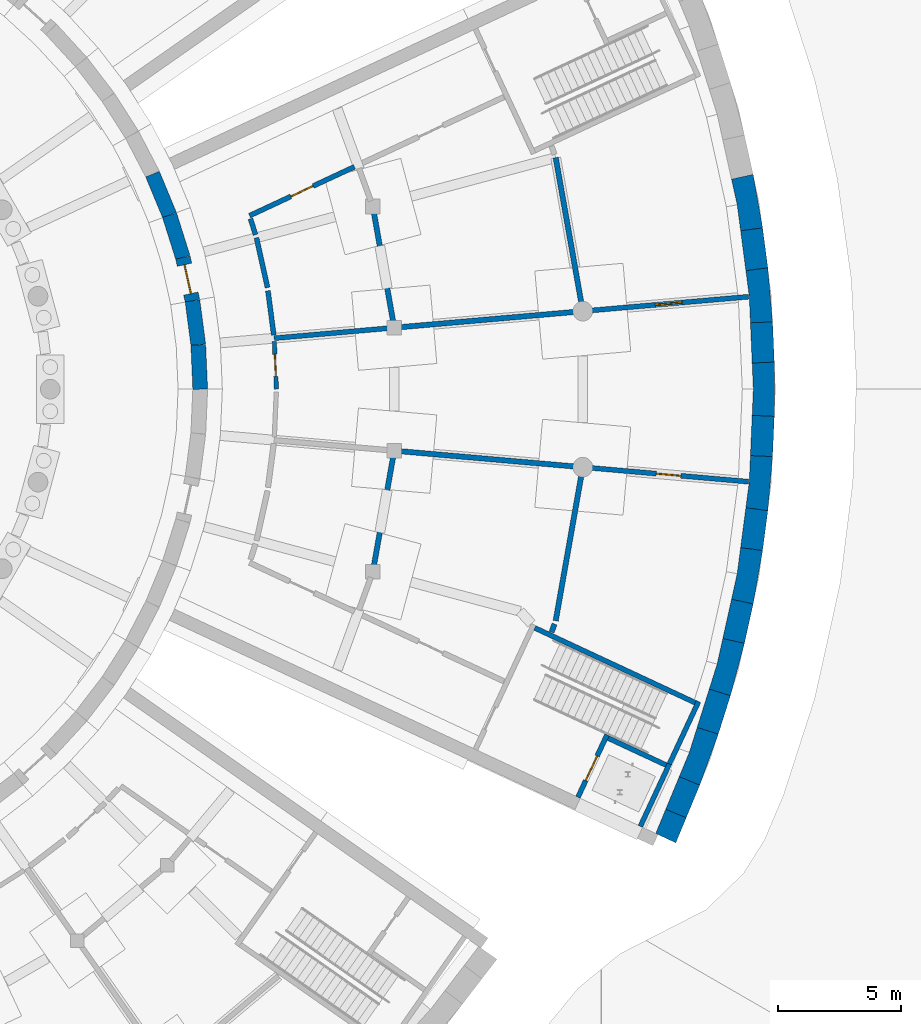
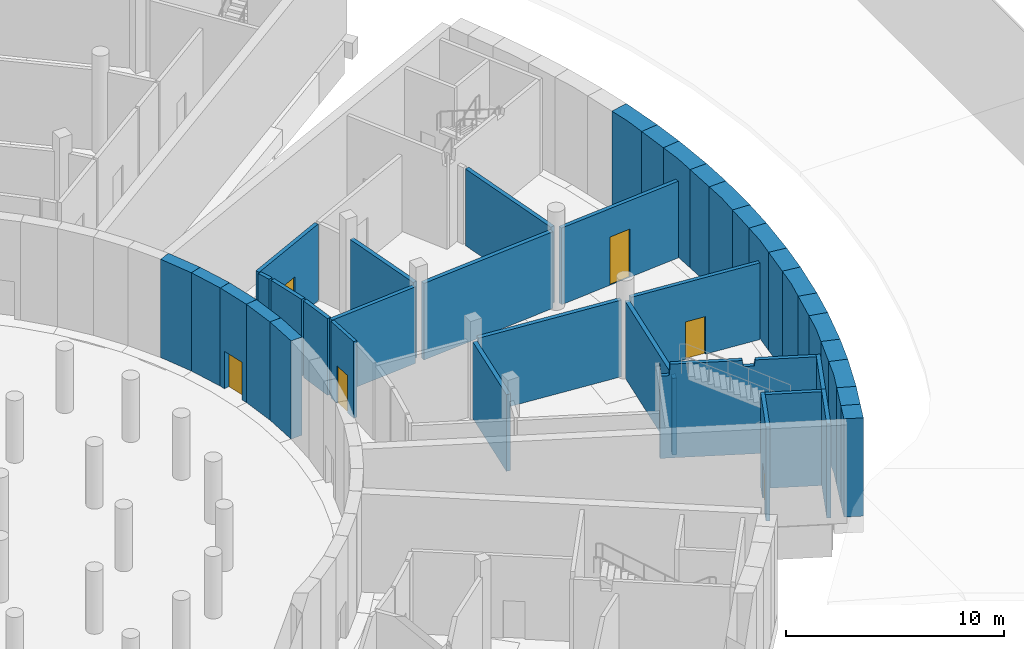
# One storey, part 42 of 65: 40 walls, 6 doors, 6 openings.
"""IFC4 building model written with IfcOpenShell, lengths in metres."""

import ifcopenshell
import ifcopenshell.guid

model = None  # the IFC model being written
_history = None  # IfcOwnerHistory: only IFC2X3 demands one
_inside = {}  # id of a spatial element -> (the spatial element, [elements in it])
_under = {}  # id of a project, library or spatial element -> (it, [spatial elements below it])
_declared = {}  # id of a project -> (the project, [libraries it declares])
_typed = {}  # id of a type object -> (the type object, [elements of that type])
_made_of = {}  # id of a material, layer set ... -> (it, [elements and type objects made of it])


def new_model(schema):
    """Start an empty IFC model of exactly this schema.

    Asked for "IFC4X3", IfcOpenShell would pick the latest addendum, in which some entities
    have other attributes; the version numbers below select the first issue.
    IFC2X3 requires an IfcOwnerHistory on every rooted entity: one is made here for all.
    """
    global model, _history
    if schema == "IFC4X3":
        model = ifcopenshell.file(schema_version=(4, 3, 0, 0))
    else:
        model = ifcopenshell.file(schema=schema)
    _inside.clear()
    _under.clear()
    _declared.clear()
    _typed.clear()
    _made_of.clear()
    _history = None
    if model.schema == "IFC2X3":
        org = make("IfcOrganization", Name="unknown")
        user = make(
            "IfcPersonAndOrganization",
            ThePerson=make("IfcPerson", FamilyName="unknown"),
            TheOrganization=org,
        )
        app = make(
            "IfcApplication",
            ApplicationDeveloper=org,
            Version="unknown",
            ApplicationFullName="unknown",
            ApplicationIdentifier="unknown",
        )
        _history = make(
            "IfcOwnerHistory",
            OwningUser=user,
            OwningApplication=app,
            ChangeAction="ADDED",
            CreationDate=0,
        )
    return model


def make(cls, **values):
    """One entity of the class cls with the attributes given. An attribute that is None is left unset."""
    return model.create_entity(
        cls, **{name: value for name, value in values.items() if value is not None}
    )


def rooted(cls, **values):
    """An entity with a GlobalId (a new one), such as an element, a storey or a relation."""
    return make(cls, GlobalId=ifcopenshell.guid.new(), OwnerHistory=_history, **values)


def si_unit(unit_type, name, prefix=None):
    """IfcSIUnit, for example si_unit("LENGTHUNIT", "METRE", prefix="MILLI")."""
    return make("IfcSIUnit", UnitType=unit_type, Prefix=prefix, Name=name)


def assignment(units):
    """IfcUnitAssignment: the units of a project."""
    return None if units is None else make("IfcUnitAssignment", Units=units)


def point(xyz):
    """IfcCartesianPoint."""
    return None if xyz is None else make("IfcCartesianPoint", Coordinates=xyz)


def direction(xyz):
    """IfcDirection."""
    return None if xyz is None else make("IfcDirection", DirectionRatios=xyz)


def frame(location, z_axis=None, x_axis=None):
    """IfcAxis2Placement3D, a coordinate frame: its origin and axes. An axis left out is left unset."""
    return make(
        "IfcAxis2Placement3D",
        Location=point(location),
        Axis=direction(z_axis),
        RefDirection=direction(x_axis),
    )


def frame_2d(location, x_axis=None):
    """IfcAxis2Placement2D, a coordinate frame in the plane: its origin and x axis."""
    return make(
        "IfcAxis2Placement2D", Location=point(location), RefDirection=direction(x_axis)
    )


def origin():
    """The frame at (0, 0, 0) with its axes left unset."""
    return frame((0.0, 0.0, 0.0))


def place(relative_to, where):
    """IfcLocalPlacement: puts the frame where relative to a parent placement (None: the world)."""
    return make(
        "IfcLocalPlacement", PlacementRelTo=relative_to, RelativePlacement=where
    )


def context(
    kind, dimensions, precision=None, world=None, true_north=None, identifier=None
):
    """IfcGeometricRepresentationContext, for example the 3D "Model" context."""
    return make(
        "IfcGeometricRepresentationContext",
        ContextIdentifier=identifier,
        ContextType=kind,
        CoordinateSpaceDimension=dimensions,
        Precision=precision,
        WorldCoordinateSystem=world,
        TrueNorth=true_north,
    )


def subcontext(parent, identifier, kind, view, scale=None):
    """IfcGeometricRepresentationSubContext, for example "Body" below "Model"."""
    return make(
        "IfcGeometricRepresentationSubContext",
        ContextIdentifier=identifier,
        ContextType=kind,
        ParentContext=parent,
        TargetScale=scale,
        TargetView=view,
    )


def project(units=None, contexts=None):
    """IfcProject with its units and contexts."""
    return rooted(
        "IfcProject",
        Name="project",
        RepresentationContexts=contexts,
        UnitsInContext=assignment(units),
    )


def spatial(cls, under=None, at=None, **own):
    """A site, building, storey or space (cls), placed at a placement, below another one or the project."""
    s = rooted(cls, ObjectPlacement=at, **own)
    if under is not None:
        _under.setdefault(under.id(), (under, []))[1].append(s)
    return s


def polyline(points):
    """IfcPolyline through the points."""
    return make("IfcPolyline", Points=[point(p) for p in points])


def profile(cls, at=None, kind="AREA", **sizes):
    """A parametric profile (cls). Its sizes go by their IFC names, for example OverallWidth=200.0."""
    return make(cls, ProfileType=kind, Position=at, **sizes)


def rectangle(**sizes):
    """IfcRectangleProfileDef."""
    return profile("IfcRectangleProfileDef", **sizes)


def outline(outer, holes=None, kind="AREA"):
    """IfcArbitraryClosedProfileDef: a profile drawn as a closed curve; with holes, ...WithVoids."""
    if holes is None:
        return make("IfcArbitraryClosedProfileDef", ProfileType=kind, OuterCurve=outer)
    return make(
        "IfcArbitraryProfileDefWithVoids",
        ProfileType=kind,
        OuterCurve=outer,
        InnerCurves=holes,
    )


def extrude(swept, where, along, depth):
    """IfcExtrudedAreaSolid: the profile swept, set in the frame where, extruded along a direction by depth."""
    return make(
        "IfcExtrudedAreaSolid",
        SweptArea=swept,
        Position=where,
        ExtrudedDirection=direction(along),
        Depth=depth,
    )


def shape(context_of_items, identifier, shape_type, items):
    """IfcShapeRepresentation: the items that make up one representation, for example the "Body"."""
    return make(
        "IfcShapeRepresentation",
        ContextOfItems=context_of_items,
        RepresentationIdentifier=identifier,
        RepresentationType=shape_type,
        Items=items,
    )


def material(Name=None, Category=None):
    """IfcMaterial."""
    return make("IfcMaterial", Name=Name, Category=Category)


def layer(
    of_material, thickness, ventilated=None, Name=None, Category=None, Priority=None
):
    """IfcMaterialLayer: one layer of a wall or slab, of a material (None: an air gap)."""
    return make(
        "IfcMaterialLayer",
        Material=of_material,
        LayerThickness=thickness,
        IsVentilated=ventilated,
        Name=Name,
        Category=Category,
        Priority=Priority,
    )


def layer_set(layers, Name=None):
    """IfcMaterialLayerSet."""
    return make("IfcMaterialLayerSet", MaterialLayers=layers, LayerSetName=Name)


def made_of(thing, what):
    """Note that an element or type object is made of a material, layer set ...; save() writes the relation."""
    if what is not None:
        _made_of.setdefault(what.id(), (what, []))[1].append(thing)
    return thing


def type_object(cls, material=None, **own):
    """A type object (cls), such as IfcWallType, which elements share."""
    return made_of(rooted(cls, **own), material)


def element(
    cls,
    number,
    at=None,
    inside=None,
    cuts=None,
    type_object=None,
    material=None,
    context=None,
    identifier="Body",
    shape_type=None,
    held_by="IfcProductDefinitionShape",
    body=None,
    shapes=None,
    **own,
):
    """One element of the class cls, such as IfcWall. Its Tag is "e" and its number.

    at: its placement. inside: the storey or other place that contains it. cuts: it is an
    opening in that element (IfcRelVoidsElement). A single representation is given by context,
    identifier, shape_type and body (its items); several are given by shapes. held_by: the class
    of the entity that holds the representations. save() writes the other relations.
    """
    e = rooted(cls, Tag="e%d" % number, ObjectPlacement=at, **own)
    if body is not None:
        shapes = [shape(context, identifier, shape_type, body)]
    if shapes is not None:
        e.Representation = make(held_by, Representations=shapes)
    if inside is not None:
        _inside.setdefault(inside.id(), (inside, []))[1].append(e)
    if cuts is not None:
        rooted(
            "IfcRelVoidsElement", RelatingBuildingElement=cuts, RelatedOpeningElement=e
        )
    if type_object is not None:
        _typed.setdefault(type_object.id(), (type_object, []))[1].append(e)
    return made_of(e, material)


def fill(opening, filler):
    """IfcRelFillsElement: the door or window that sits in an opening."""
    return rooted(
        "IfcRelFillsElement",
        RelatingOpeningElement=opening,
        RelatedBuildingElement=filler,
    )


def aggregate(whole, parts):
    """IfcRelAggregates: a whole, such as a stair, and the parts it consists of."""
    return rooted("IfcRelAggregates", RelatingObject=whole, RelatedObjects=parts)


def save(model, path):
    """Write the relations noted so far, then the file.

    IfcRelAggregates (storeys below a building ...), IfcRelContainedInSpatialStructure (elements
    in a storey), IfcRelDefinesByType, IfcRelAssociatesMaterial and IfcRelDeclares: one each for
    every whole, place, type object, material and project.
    """
    for whole, parts in _under.values():
        aggregate(whole, parts)
    for where, things in _inside.values():
        rooted(
            "IfcRelContainedInSpatialStructure",
            RelatedElements=things,
            RelatingStructure=where,
        )
    for kind, things in _typed.values():
        rooted("IfcRelDefinesByType", RelatedObjects=things, RelatingType=kind)
    for what, things in _made_of.values():
        rooted("IfcRelAssociatesMaterial", RelatedObjects=things, RelatingMaterial=what)
    for by, libraries in _declared.values():
        rooted("IfcRelDeclares", RelatingContext=by, RelatedDefinitions=libraries)
    model.write(path)


model = new_model("IFC4")

# Units and contexts
model_context = context("Model", 3, precision=1e-05, world=origin(), true_north=direction((0.0, 1.0)))
body_context = subcontext(model_context, "Body", "Model", "MODEL_VIEW")
ifc_project = project(units=[si_unit("LENGTHUNIT", "METRE"), si_unit("AREAUNIT", "SQUARE_METRE"), si_unit("VOLUMEUNIT", "CUBIC_METRE"), si_unit("PLANEANGLEUNIT", "RADIAN"), si_unit("MASSUNIT", "GRAM", prefix="KILO")], contexts=[model_context])

# Site, building, storey
site_placement = place(None, origin())
site = spatial("IfcSite", under=ifc_project, at=site_placement, CompositionType="ELEMENT")
building_placement = place(site_placement, origin())
building = spatial("IfcBuilding", under=site, at=building_placement, Name="Volute Hill Aquarium", CompositionType="ELEMENT")
storey_placement = place(building_placement, frame((0.0, 0.0, -5.5)))
storey = spatial("IfcBuildingStorey", under=building, at=storey_placement, Name="L00", CompositionType="ELEMENT", Elevation=-5.5)

# Walls
ifc_material_1 = material(Name="Concrete C30/37", Category="concrete")
ifc_layer_1 = layer(ifc_material_1, 0.199951171875)
ifc_layer_set_1 = layer_set([ifc_layer_1], Name="Core wall 200 REI 60")
wall_type_1 = type_object("IfcWallType", Name="Core wall 200 REI 60", PredefinedType="SHEAR", material=ifc_layer_set_1)
wall_1_placement = place(storey_placement, frame((34.31103515625, -9.710205078125, 0.0), z_axis=(0.0, 0.0, 1.0), x_axis=(0.906300917592, -0.422632992999, 0.0)))
element("IfcWall", 1, at=wall_1_placement, inside=storey, type_object=wall_type_1, Name="wc/S4-A/L00/side", PredefinedType="SHEAR", context=body_context, shape_type="SweptSolid", body=[
    extrude(outline(polyline([(0.0, 0.0), (7.199951171875, 0.0), (7.199951171875, 5.25), (4.392578125, 5.25), (4.342529296875, 4.909912109375), (3.842529296875, 4.909912109375), (3.79248046875, 5.25), (0.477294921875, 5.25), (0.42724609375, 4.610107421875), (0.050048828125, 4.610107421875), (0.0, 5.25), (0.0, 0.0)])), frame((0.0, 0.10009765625, 0.0), z_axis=(0.0, -1.0, 0.0), x_axis=(1.0, 0.0, 0.0)), (0.0, 0.0, 1.0), 0.199951171875),
])
wall_2_placement = place(storey_placement, frame((39.785888671875, -15.242431640625, 0.0), z_axis=(0.0, 0.0, 1.0), x_axis=(0.422599061068, 0.90631674021, 0.0)))
element("IfcWall", 2, at=wall_2_placement, inside=storey, type_object=wall_type_1, Name="wc/S4-A/L00/out-b", PredefinedType="SHEAR", context=body_context, shape_type="SweptSolid", body=[
    extrude(rectangle(XDim=2.80029296875, YDim=0.199951171875, at=frame_2d((1.400146484375, 0.0))), origin(), (0.0, 0.0, 1.0), 5.25),
])

# Wall, opening, door
ifc_material_2 = material(Name="Gypsum board on steel studs", Category="steel")
ifc_layer_2 = layer(ifc_material_2, 0.175048828125)
ifc_layer_set_2 = layer_set([ifc_layer_2], Name="Corridor partition 175 EI 60")
wall_type_2 = type_object("IfcWallType", Name="Corridor partition 175 EI 60", PredefinedType="PARTITIONING", material=ifc_layer_set_2)
wall_3_placement = place(storey_placement, frame((23.715087890625, 1.944580078125, 0.0), z_axis=(0.0, 0.0, 1.0), x_axis=(0.043649507007, -0.999046906075, 0.0)))
wall_3 = element("IfcWall", 3, at=wall_3_placement, inside=storey, type_object=wall_type_2, Name="pw/S4/L00/017", PredefinedType="PARTITIONING", context=body_context, shape_type="SweptSolid", body=[
    extrude(rectangle(XDim=1.946533203125, YDim=0.175048828125, at=frame_2d((0.97314453125, 0.0))), origin(), (0.0, 0.0, 1.0), 4.2900390625),
])
opening_1_placement = place(wall_3_placement, frame((0.523193359375, 0.0, 0.0)))
opening_1 = element("IfcOpeningElement", 4, at=opening_1_placement, cuts=wall_3, Name="Opening D4.00.01", PredefinedType="OPENING", context=body_context, shape_type="SweptSolid", body=[
    extrude(rectangle(XDim=0.89990234375, YDim=2.10009765625, at=frame_2d((0.449951171875, 1.050048828125))), frame((0.0, 0.097412109375, 0.0), z_axis=(0.0, -1.0, 0.0), x_axis=(1.0, 0.0, 0.0)), (0.0, 0.0, 1.0), 0.195068359375),
])
ifc_material_3 = material(Name="Timber, fire-rated", Category="wood")
door_type_1 = type_object("IfcDoorType", Name="Door 900 x 2100 wc single EI1 30", OperationType="SINGLE_SWING_LEFT", PredefinedType="DOOR", material=ifc_material_3)
door_1_placement = place(opening_1_placement, origin())
door_1 = element("IfcDoor", 5, at=door_1_placement, inside=storey, type_object=door_type_1, Name="d/S4/L00/01", OperationType="SINGLE_SWING_LEFT", OverallHeight=2.10009765625, OverallWidth=0.89990234375, PredefinedType="DOOR", context=body_context, shape_type="SweptSolid", body=[
    extrude(rectangle(XDim=0.89990234375, YDim=2.10009765625, at=frame_2d((0.449951171875, 1.050048828125))), frame((0.0, 0.02490234375, 0.0), z_axis=(0.0, -1.0, 0.0), x_axis=(1.0, 0.0, 0.0)), (0.0, 0.0, 1.0), 0.050048828125),
])
fill(opening_1, door_1)

# Walls
ifc_material_4 = material(Name="Concrete C35/45", Category="concrete")
ifc_layer_3 = layer(ifc_material_4, 0.60009765625)
ifc_layer_set_3 = layer_set([ifc_layer_3], Name="Drum wall C35/45 600")
wall_type_3 = type_object("IfcWallType", Name="Drum wall C35/45 600", PredefinedType="SHEAR", material=ifc_layer_set_3)
wall_4_placement = place(storey_placement, frame((20.699951171875, 0.0, 0.0), z_axis=(0.0, 0.0, 1.0), x_axis=(-0.043666024022, 0.999046184291, 0.0)))
element("IfcWall", 6, at=wall_4_placement, inside=storey, type_object=wall_type_3, Name="sw/DR/L00/0", PredefinedType="SHEAR", context=body_context, shape_type="SweptSolid", body=[
    extrude(rectangle(XDim=1.805908203125, YDim=0.60009765625, at=frame_2d((0.90283203125, 0.0))), origin(), (0.0, 0.0, 1.0), 5.5),
])
wall_5_placement = place(storey_placement, frame((20.62109375, 1.80419921875, 0.0), z_axis=(0.0, 0.0, 1.0), x_axis=(-0.130471999813, 0.991451994433, 0.0)))
element("IfcWall", 7, at=wall_5_placement, inside=storey, type_object=wall_type_3, Name="sw/DR/L00/1", PredefinedType="SHEAR", context=body_context, shape_type="SweptSolid", body=[
    extrude(rectangle(XDim=1.8056640625, YDim=0.60009765625, at=frame_2d((0.90283203125, 0.0))), origin(), (0.0, 0.0, 1.0), 5.5),
])

# Wall, opening, door
wall_6_placement = place(storey_placement, frame((20.385498046875, 3.594482421875, 0.0), z_axis=(0.0, 0.0, 1.0), x_axis=(-0.216429453554, 0.976298259567, 0.0)))
wall_6 = element("IfcWall", 8, at=wall_6_placement, inside=storey, type_object=wall_type_3, Name="sw/DR/L00/2", PredefinedType="SHEAR", context=body_context, shape_type="SweptSolid", body=[
    extrude(rectangle(XDim=1.805908203125, YDim=0.60009765625, at=frame_2d((0.90283203125, 0.0))), origin(), (0.0, 0.0, 1.0), 5.5),
])
opening_2_placement = place(wall_6_placement, frame((0.302978515625, 0.0, 0.0)))
opening_2 = element("IfcOpeningElement", 9, at=opening_2_placement, cuts=wall_6, Name="Opening D4.00.R2", PredefinedType="OPENING", context=body_context, shape_type="SweptSolid", body=[
    extrude(rectangle(XDim=1.199951171875, YDim=2.10009765625, at=frame_2d((0.60009765625, 1.050048828125))), frame((0.0, 0.31005859375, 0.0), z_axis=(0.0, -1.0, 0.0), x_axis=(1.0, 0.0, 0.0)), (0.0, 0.0, 1.0), 0.6201171875),
])
ifc_material_5 = material(Name="Timber, fire-rated", Category="wood")
door_type_2 = type_object("IfcDoorType", Name="Door 1200 x 2100 drum double EI1 30", OperationType="DOUBLE_DOOR_SINGLE_SWING", PredefinedType="DOOR", material=ifc_material_5)
door_2_placement = place(opening_2_placement, origin())
door_2 = element("IfcDoor", 10, at=door_2_placement, inside=storey, type_object=door_type_2, Name="d/S4/L00/dr2", OperationType="SINGLE_SWING_LEFT", OverallHeight=2.10009765625, OverallWidth=1.199951171875, PredefinedType="DOOR", context=body_context, shape_type="SweptSolid", body=[
    extrude(rectangle(XDim=1.199951171875, YDim=2.10009765625, at=frame_2d((0.60009765625, 1.050048828125))), frame((0.0, 0.02490234375, 0.0), z_axis=(0.0, -1.0, 0.0), x_axis=(1.0, 0.0, 0.0)), (0.0, 0.0, 1.0), 0.050048828125),
])
fill(opening_2, door_2)

# Walls
wall_7_placement = place(storey_placement, frame((19.99462890625, 5.357666015625, 0.0), z_axis=(0.0, 0.0, 1.0), x_axis=(-0.300691330354, 0.953721512733, 0.0)))
element("IfcWall", 11, at=wall_7_placement, inside=storey, type_object=wall_type_3, Name="sw/DR/L00/3", PredefinedType="SHEAR", context=body_context, shape_type="SweptSolid", body=[
    extrude(rectangle(XDim=1.8056640625, YDim=0.60009765625, at=frame_2d((0.90283203125, 0.0))), origin(), (0.0, 0.0, 1.0), 5.5),
])
wall_8_placement = place(storey_placement, frame((19.45166015625, 7.079833984375, 0.0), z_axis=(0.0, 0.0, 1.0), x_axis=(-0.382713954298, 0.923866889322, 0.0)))
element("IfcWall", 12, at=wall_8_placement, inside=storey, type_object=wall_type_3, Name="sw/DR/L00/4", PredefinedType="SHEAR", context=body_context, shape_type="SweptSolid", body=[
    extrude(rectangle(XDim=1.805908203125, YDim=0.60009765625, at=frame_2d((0.90283203125, 0.0))), origin(), (0.0, 0.0, 1.0), 5.5),
])

# Wall, opening, door
ifc_material_6 = material(Name="Masonry blockwork", Category="masonry")
ifc_layer_4 = layer(ifc_material_6, 0.199951171875)
ifc_layer_set_4 = layer_set([ifc_layer_4], Name="Fire partition 200 EI 60")
wall_type_4 = type_object("IfcWallType", Name="Fire partition 200 EI 60", PredefinedType="PARTITIONING", material=ifc_layer_set_4)
wall_9_placement = place(storey_placement, frame((36.50048828125, 3.193359375, 0.0), z_axis=(0.0, 0.0, 1.0), x_axis=(0.996195137737, 0.087150717435, 0.0)))
wall_9 = element("IfcWall", 13, at=wall_9_placement, inside=storey, type_object=wall_type_4, Name="pw/S4/L00/005", PredefinedType="PARTITIONING", context=body_context, shape_type="SweptSolid", body=[
    extrude(rectangle(XDim=6.530029296875, YDim=0.199951171875, at=frame_2d((3.26513671875, 0.0))), origin(), (0.0, 0.0, 1.0), 4.2900390625),
])
opening_3_placement = place(wall_9_placement, frame((2.715087890625, 0.0, 0.0)))
opening_3 = element("IfcOpeningElement", 14, at=opening_3_placement, cuts=wall_9, Name="Opening D4.00.07", PredefinedType="OPENING", context=body_context, shape_type="SweptSolid", body=[
    extrude(rectangle(XDim=1.10009765625, YDim=2.699951171875, at=frame_2d((0.550048828125, 1.35009765625))), frame((0.0, 0.10986328125, 0.0), z_axis=(0.0, -1.0, 0.0), x_axis=(1.0, 0.0, 0.0)), (0.0, 0.0, 1.0), 0.219970703125),
])
ifc_material_7 = material(Name="Steel, fire-rated", Category="steel")
door_type_3 = type_object("IfcDoorType", Name="Door 1100 x 2700 animal care EI1 30", OperationType="SINGLE_SWING_LEFT", PredefinedType="DOOR", material=ifc_material_7)
door_3_placement = place(opening_3_placement, origin())
door_3 = element("IfcDoor", 15, at=door_3_placement, inside=storey, type_object=door_type_3, Name="d/S4/L00/07", OperationType="SINGLE_SWING_LEFT", OverallHeight=2.699951171875, OverallWidth=1.10009765625, PredefinedType="DOOR", context=body_context, shape_type="SweptSolid", body=[
    extrude(rectangle(XDim=1.10009765625, YDim=2.699951171875, at=frame_2d((0.550048828125, 1.35009765625))), frame((0.0, 0.02490234375, 0.0), z_axis=(0.0, -1.0, 0.0), x_axis=(1.0, 0.0, 0.0)), (0.0, 0.0, 1.0), 0.050048828125),
])
fill(opening_3, door_3)

wall_10_placement = place(storey_placement, frame((43.005615234375, -3.762451171875, 0.0), z_axis=(0.0, 0.0, 1.0), x_axis=(-0.996195137737, 0.087150717435, 0.0)))
wall_10 = element("IfcWall", 16, at=wall_10_placement, inside=storey, type_object=wall_type_4, Name="pw/S4/L00/006", PredefinedType="PARTITIONING", context=body_context, shape_type="SweptSolid", body=[
    extrude(rectangle(XDim=6.530029296875, YDim=0.199951171875, at=frame_2d((3.26513671875, 0.0))), origin(), (0.0, 0.0, 1.0), 4.2900390625),
])
opening_4_placement = place(wall_10_placement, frame((2.764892578125, 0.0, 0.0)))
opening_4 = element("IfcOpeningElement", 17, at=opening_4_placement, cuts=wall_10, Name="Opening D4.00.06", PredefinedType="OPENING", context=body_context, shape_type="SweptSolid", body=[
    extrude(rectangle(XDim=1.0, YDim=2.10009765625, at=frame_2d((0.5, 1.050048828125))), frame((0.0, 0.10986328125, 0.0), z_axis=(0.0, -1.0, 0.0), x_axis=(1.0, 0.0, 0.0)), (0.0, 0.0, 1.0), 0.219970703125),
])
ifc_material_8 = material(Name="Timber, fire-rated", Category="wood")
door_type_4 = type_object("IfcDoorType", Name="Door 1000 x 2100 single EI1 30", OperationType="SINGLE_SWING_LEFT", PredefinedType="DOOR", material=ifc_material_8)
door_4_placement = place(opening_4_placement, origin())
door_4 = element("IfcDoor", 18, at=door_4_placement, inside=storey, type_object=door_type_4, Name="d/S4/L00/06", OperationType="SINGLE_SWING_RIGHT", OverallHeight=2.10009765625, OverallWidth=1.0, PredefinedType="DOOR", context=body_context, shape_type="SweptSolid", body=[
    extrude(rectangle(XDim=1.0, YDim=2.10009765625, at=frame_2d((0.5, 1.050048828125))), frame((0.0, 0.02490234375, 0.0), z_axis=(0.0, -1.0, 0.0), x_axis=(1.0, 0.0, 0.0)), (0.0, 0.0, 1.0), 0.050048828125),
])
fill(opening_4, door_4)

wall_11_placement = place(storey_placement, frame((26.9736328125, 9.04736328125, 0.0), z_axis=(0.0, 0.0, 1.0), x_axis=(-0.906308936169, -0.422615797409, 0.0)))
wall_11 = element("IfcWall", 19, at=wall_11_placement, inside=storey, type_object=wall_type_4, Name="pw/S4/L00/009", PredefinedType="PARTITIONING", context=body_context, shape_type="SweptSolid", body=[
    extrude(rectangle(XDim=4.708740234375, YDim=0.199951171875, at=frame_2d((2.3544921875, 0.0))), origin(), (0.0, 0.0, 1.0), 4.2900390625),
])
opening_5_placement = place(wall_11_placement, frame((1.8544921875, 0.0, 0.0)))
opening_5 = element("IfcOpeningElement", 20, at=opening_5_placement, cuts=wall_11, Name="Opening D4.00.04", PredefinedType="OPENING", context=body_context, shape_type="SweptSolid", body=[
    extrude(rectangle(XDim=1.0, YDim=2.39990234375, at=frame_2d((0.5, 1.199951171875))), frame((0.0, 0.10986328125, 0.0), z_axis=(0.0, -1.0, 0.0), x_axis=(1.0, 0.0, 0.0)), (0.0, 0.0, 1.0), 0.219970703125),
])
ifc_material_9 = material(Name="Steel, fire-rated", Category="steel")
door_type_5 = type_object("IfcDoorType", Name="Door 1000 x 2400 laboratory EI1 30", OperationType="SINGLE_SWING_LEFT", PredefinedType="DOOR", material=ifc_material_9)
door_5_placement = place(opening_5_placement, origin())
door_5 = element("IfcDoor", 21, at=door_5_placement, inside=storey, type_object=door_type_5, Name="d/S4/L00/04", OperationType="SINGLE_SWING_RIGHT", OverallHeight=2.39990234375, OverallWidth=1.0, PredefinedType="DOOR", context=body_context, shape_type="SweptSolid", body=[
    extrude(rectangle(XDim=1.0, YDim=2.39990234375, at=frame_2d((0.5, 1.199951171875))), frame((0.0, 0.02490234375, 0.0), z_axis=(0.0, -1.0, 0.0), x_axis=(1.0, 0.0, 0.0)), (0.0, 0.0, 1.0), 0.050048828125),
])
fill(opening_5, door_5)

# Walls
wall_12_placement = place(storey_placement, frame((28.351806640625, 2.48046875, 0.0), z_axis=(0.0, 0.0, 1.0), x_axis=(-0.996192864458, -0.087176698736, 0.0)))
element("IfcWall", 22, at=wall_12_placement, inside=storey, type_object=wall_type_4, Name="pw/S4/L00/012", PredefinedType="PARTITIONING", context=body_context, shape_type="SweptSolid", body=[
    extrude(rectangle(XDim=4.66015625, YDim=0.199951171875, at=frame_2d((2.330078125, 0.0))), origin(), (0.0, 0.0, 1.0), 4.2900390625),
])
wall_13_placement = place(storey_placement, frame((22.989013671875, 6.159912109375, 0.0), z_axis=(0.0, 0.0, 1.0), x_axis=(0.216469786072, -0.97628931763, 0.0)))
element("IfcWall", 23, at=wall_13_placement, inside=storey, type_object=wall_type_4, Name="pw/S4/L00/015", PredefinedType="PARTITIONING", context=body_context, shape_type="SweptSolid", body=[
    extrude(rectangle(XDim=2.076416015625, YDim=0.199951171875, at=frame_2d((1.0380859375, 0.0))), origin(), (0.0, 0.0, 1.0), 4.2900390625),
])
wall_14_placement = place(storey_placement, frame((23.455322265625, 4.00390625, 0.0), z_axis=(0.0, 0.0, 1.0), x_axis=(0.130517099074, -0.991446058467, 0.0)))
element("IfcWall", 24, at=wall_14_placement, inside=storey, type_object=wall_type_4, Name="pw/S4/L00/019", PredefinedType="PARTITIONING", context=body_context, shape_type="SweptSolid", body=[
    extrude(rectangle(XDim=1.81640625, YDim=0.199951171875, at=frame_2d((0.908203125, 0.0))), origin(), (0.0, 0.0, 1.0), 4.2900390625),
])
wall_15_placement = place(storey_placement, frame((22.7451171875, 6.933349609375, 0.0), z_axis=(0.0, 0.0, 1.0), x_axis=(0.300805333323, -0.953685562145, 0.0)))
element("IfcWall", 25, at=wall_15_placement, inside=storey, type_object=wall_type_4, Name="pw/S4/L00/023", PredefinedType="PARTITIONING", context=body_context, shape_type="SweptSolid", body=[
    extrude(rectangle(XDim=0.680908203125, YDim=0.199951171875, at=frame_2d((0.34033203125, 0.0))), origin(), (0.0, 0.0, 1.0), 4.2900390625),
])
ifc_material_10 = material(Name="Precast concrete C40/50", Category="concrete")
ifc_layer_5 = layer(ifc_material_10, 0.89990234375)
ifc_layer_set_5 = layer_set([ifc_layer_5], Name="Outer pier precast concrete C40/50 900")
wall_type_5 = type_object("IfcWallType", Name="Outer pier precast concrete C40/50 900", PredefinedType="NOTDEFINED", material=ifc_layer_set_5)
wall_16_placement = place(storey_placement, origin())
element("IfcWall", 26, at=wall_16_placement, inside=storey, type_object=wall_type_5, Name="Outer pier OWP S4 L00 1", PredefinedType="NOTDEFINED", context=body_context, shape_type="SweptSolid", body=[
    extrude(outline(polyline([(39.228759765625, -18.072021484375), (40.045166015625, -18.45263671875), (40.468017578125, -17.431884765625), (39.636474609375, -17.08740234375), (39.228759765625, -18.072021484375)])), origin(), (0.0, 0.0, 1.0), 5.5),
])
wall_17_placement = place(storey_placement, origin())
element("IfcWall", 27, at=wall_17_placement, inside=storey, type_object=wall_type_5, Name="Outer pier OWP S4 L00 2", PredefinedType="NOTDEFINED", context=body_context, shape_type="SweptSolid", body=[
    extrude(outline(polyline([(40.1865234375, -15.759765625), (41.01806640625, -16.10400390625), (41.773193359375, -14.029541015625), (40.914794921875, -13.7587890625), (40.59423828125, -14.775146484375), (40.1865234375, -15.759765625)])), origin(), (0.0, 0.0, 1.0), 5.5),
])
wall_18_placement = place(storey_placement, origin())
element("IfcWall", 28, at=wall_18_placement, inside=storey, type_object=wall_type_5, Name="Outer pier OWP S4 L00 3", PredefinedType="NOTDEFINED", context=body_context, shape_type="SweptSolid", body=[
    extrude(outline(polyline([(41.4072265625, -12.197265625), (42.265625, -12.4677734375), (42.8369140625, -10.33544921875), (41.958251953125, -10.140625), (41.7275390625, -11.180908203125), (41.4072265625, -12.197265625)])), origin(), (0.0, 0.0, 1.0), 5.5),
])
wall_19_placement = place(storey_placement, origin())
element("IfcWall", 29, at=wall_19_placement, inside=storey, type_object=wall_type_5, Name="Outer pier OWP S4 L00 4", PredefinedType="NOTDEFINED", context=body_context, shape_type="SweptSolid", body=[
    extrude(outline(polyline([(42.312744140625, -8.5419921875), (43.19140625, -8.73681640625), (43.57470703125, -6.5625), (42.682373046875, -6.445068359375), (42.543212890625, -7.50146484375), (42.312744140625, -8.5419921875)])), origin(), (0.0, 0.0, 1.0), 5.5),
])
wall_20_placement = place(storey_placement, origin())
element("IfcWall", 30, at=wall_20_placement, inside=storey, type_object=wall_type_5, Name="Outer pier OWP S4 L00 5", PredefinedType="NOTDEFINED", context=body_context, shape_type="SweptSolid", body=[
    extrude(outline(polyline([(42.89599609375, -4.821533203125), (43.788330078125, -4.93896484375), (43.980712890625, -2.73974609375), (43.081787109375, -2.700439453125), (43.03515625, -3.76513671875), (42.89599609375, -4.821533203125)])), origin(), (0.0, 0.0, 1.0), 5.5),
])
wall_21_placement = place(storey_placement, origin())
element("IfcWall", 31, at=wall_21_placement, inside=storey, type_object=wall_type_5, Name="Outer pier OWP S4 L00 6", PredefinedType="NOTDEFINED", context=body_context, shape_type="SweptSolid", body=[
    extrude(outline(polyline([(43.153076171875, -1.064453125), (44.05224609375, -1.103759765625), (44.05224609375, 1.103759765625), (43.153076171875, 1.064697265625), (43.19970703125, 0.0), (43.153076171875, -1.064453125)])), origin(), (0.0, 0.0, 1.0), 5.5),
])
wall_22_placement = place(storey_placement, origin())
element("IfcWall", 32, at=wall_22_placement, inside=storey, type_object=wall_type_5, Name="Outer pier OWP S4 L00 7", PredefinedType="NOTDEFINED", context=body_context, shape_type="SweptSolid", body=[
    extrude(outline(polyline([(43.08154296875, 2.700439453125), (43.980712890625, 2.73974609375), (43.788330078125, 4.93896484375), (42.89599609375, 4.821533203125), (43.03515625, 3.76513671875), (43.08154296875, 2.700439453125)])), origin(), (0.0, 0.0, 1.0), 5.5),
])
wall_23_placement = place(storey_placement, origin())
element("IfcWall", 33, at=wall_23_placement, inside=storey, type_object=wall_type_5, Name="Outer pier OWP S4 L00 8", PredefinedType="NOTDEFINED", context=body_context, shape_type="SweptSolid", body=[
    extrude(outline(polyline([(42.682373046875, 6.445068359375), (43.57470703125, 6.5625), (43.19140625, 8.736572265625), (42.312744140625, 8.541748046875), (42.543212890625, 7.50146484375), (42.682373046875, 6.445068359375)])), origin(), (0.0, 0.0, 1.0), 5.5),
])
ifc_material_11 = material(Name="Masonry blockwork", Category="masonry")
ifc_layer_6 = layer(ifc_material_11, 0.215087890625)
ifc_layer_set_6 = layer_set([ifc_layer_6], Name="Plant room wall 215 EI 60")
wall_type_6 = type_object("IfcWallType", Name="Plant room wall 215 EI 60", PredefinedType="PARTITIONING", material=ifc_layer_set_6)
for number, where, z_axis, x_axis, name in (
    (34, (28.829833984375, -2.522216796875, 0.0), (0.0, 0.0, 1.0), (0.996193240342, -0.087172403299, 0.0), "pw/S4/L00/001"),
    (35, (36.0224609375, 3.151611328125, 0.0), (0.0, 0.0, 1.0), (-0.996193240342, -0.087172403299, 0.0), "pw/S4/L00/002"),
):
    element("IfcWall", number, at=place(storey_placement, frame(where, z_axis=z_axis, x_axis=x_axis)), inside=storey, type_object=wall_type_6, Name=name, PredefinedType="PARTITIONING", context=body_context, shape_type="SweptSolid", body=[
        extrude(rectangle(XDim=7.22021484375, YDim=0.215087890625, at=frame_2d((3.610107421875, 0.0))), origin(), (0.0, 0.0, 1.0), 4.2900390625),
    ])
for number, where, z_axis, x_axis, name in (
    (36, (36.219970703125, -3.40869140625, 0.0), (0.0, 0.0, 1.0), (-0.173678110418, -0.984802474592, 0.0), "pw/S4/L00/007"),
    (37, (35.15966796875, 9.4208984375, 0.0), (0.0, 0.0, 1.0), (0.173678110418, -0.984802474592, 0.0), "pw/S4/L00/008"),
):
    element("IfcWall", number, at=place(storey_placement, frame(where, z_axis=z_axis, x_axis=x_axis)), inside=storey, type_object=wall_type_6, Name=name, PredefinedType="PARTITIONING", context=body_context, shape_type="SweptSolid", body=[
        extrude(rectangle(XDim=6.10498046875, YDim=0.215087890625, at=frame_2d((3.052490234375, 0.0))), origin(), (0.0, 0.0, 1.0), 4.2900390625),
    ])
for number, where, z_axis, x_axis, name in (
    (38, (28.54931640625, -2.737548828125, 0.0), (0.0, 0.0, 1.0), (-0.173696036677, -0.984799312978, 0.0), "pw/S4/L00/013"),
    (39, (27.763671875, 7.19189453125, 0.0), (0.0, 0.0, 1.0), (0.173696036677, -0.984799312978, 0.0), "pw/S4/L00/014"),
):
    element("IfcWall", number, at=place(storey_placement, frame(where, z_axis=z_axis, x_axis=x_axis)), inside=storey, type_object=wall_type_6, Name=name, PredefinedType="PARTITIONING", context=body_context, shape_type="SweptSolid", body=[
        extrude(rectangle(XDim=4.523193359375, YDim=0.215087890625, at=frame_2d((2.26171875, 0.0))), origin(), (0.0, 0.0, 1.0), 4.2900390625),
    ])
wall_24_placement = place(storey_placement, frame((35.11279296875, -9.55029296875, 0.0), z_axis=(0.0, 0.0, 1.0), x_axis=(-0.342294882289, -0.939592578493, 0.0)))
element("IfcWall", 40, at=wall_24_placement, inside=storey, type_object=wall_type_6, Name="pw/S4/L00/026", PredefinedType="PARTITIONING", context=body_context, shape_type="SweptSolid", body=[
    extrude(rectangle(XDim=0.355224609375, YDim=0.215087890625, at=frame_2d((0.177734375, 0.0))), origin(), (0.0, 0.0, 1.0), 4.2900390625),
])
ifc_material_12 = material(Name="Concrete C40/50", Category="concrete")
ifc_layer_7 = layer(ifc_material_12, 0.89990234375)
ifc_layer_set_7 = layer_set([ifc_layer_7], Name="Plinth wall limestone clad 900")
wall_type_7 = type_object("IfcWallType", Name="Plinth wall limestone clad 900", PredefinedType="NOTDEFINED", material=ifc_layer_set_7)
wall_25_placement = place(storey_placement, frame((40.602294921875, -15.931884765625, 0.0), z_axis=(0.0, 0.0, 1.0), x_axis=(-0.382696833945, -0.923873981281, 0.0)))
element("IfcWall", 41, at=wall_25_placement, inside=storey, type_object=wall_type_7, Name="Plinth wall OWL S4 L00 1", PredefinedType="NOTDEFINED", context=body_context, shape_type="SweptSolid", body=[
    extrude(rectangle(XDim=1.437255859375, YDim=0.89990234375, at=frame_2d((0.71875, 0.0))), origin(), (0.0, 0.0, 1.0), 5.5),
])
for number, where, z_axis, x_axis, name in (
    (42, (41.83642578125, -12.33251953125, 0.0), (0.0, 0.0, 1.0), (-0.300710362337, -0.953715512081, 0.0), "Plinth wall OWL S4 L00 2"),
    (43, (42.751953125, -8.639404296875, 0.0), (0.0, 0.0, 1.0), (-0.216346291888, -0.976316691441, 0.0), "Plinth wall OWL S4 L00 3"),
):
    element("IfcWall", number, at=place(storey_placement, frame(where, z_axis=z_axis, x_axis=x_axis)), inside=storey, type_object=wall_type_7, Name=name, PredefinedType="NOTDEFINED", context=body_context, shape_type="SweptSolid", body=[
        extrude(rectangle(XDim=1.637451171875, YDim=0.89990234375, at=frame_2d((0.81884765625, 0.0))), origin(), (0.0, 0.0, 1.0), 5.5),
    ])
for number, where, z_axis, x_axis, name in (
    (44, (43.34228515625, -4.88037109375, 0.0), (0.0, 0.0, 1.0), (-0.130620368987, -0.991432458217, 0.0), "Plinth wall OWL S4 L00 4"),
    (45, (43.6025390625, -1.084228515625, 0.0), (0.0, 0.0, 1.0), (-0.043540758543, -0.99905165149, 0.0), "Plinth wall OWL S4 L00 5"),
):
    element("IfcWall", number, at=place(storey_placement, frame(where, z_axis=z_axis, x_axis=x_axis)), inside=storey, type_object=wall_type_7, Name=name, PredefinedType="NOTDEFINED", context=body_context, shape_type="SweptSolid", body=[
        extrude(rectangle(XDim=1.63720703125, YDim=0.89990234375, at=frame_2d((0.818603515625, 0.0))), origin(), (0.0, 0.0, 1.0), 5.5),
    ])
wall_26_placement = place(storey_placement, frame((43.53125, 2.72021484375, 0.0), z_axis=(0.0, 0.0, 1.0), x_axis=(0.043534273207, -0.999051934114, 0.0)))
element("IfcWall", 46, at=wall_26_placement, inside=storey, type_object=wall_type_7, Name="Plinth wall OWL S4 L00 6", PredefinedType="NOTDEFINED", context=body_context, shape_type="SweptSolid", body=[
    extrude(rectangle(XDim=1.637451171875, YDim=0.89990234375, at=frame_2d((0.81884765625, 0.0))), origin(), (0.0, 0.0, 1.0), 5.5),
])
wall_27_placement = place(storey_placement, frame((43.12841796875, 6.503662109375, 0.0), z_axis=(0.0, 0.0, 1.0), x_axis=(0.130620368987, -0.991432458217, 0.0)))
element("IfcWall", 47, at=wall_27_placement, inside=storey, type_object=wall_type_7, Name="Plinth wall OWL S4 L00 7", PredefinedType="NOTDEFINED", context=body_context, shape_type="SweptSolid", body=[
    extrude(rectangle(XDim=1.63720703125, YDim=0.89990234375, at=frame_2d((0.818603515625, 0.0))), origin(), (0.0, 0.0, 1.0), 5.5),
])
ifc_material_13 = material(Name="Concrete C30/37", Category="concrete")
ifc_layer_8 = layer(ifc_material_13, 0.199951171875)
ifc_layer_set_8 = layer_set([ifc_layer_8], Name="Shaft wall 200 EI 60")
wall_type_8 = type_object("IfcWallType", Name="Shaft wall 200 EI 60", PredefinedType="SOLIDWALL", material=ifc_layer_set_8)
wall_28_placement = place(storey_placement, frame((38.6025390625, -17.780029296875, 0.0), z_axis=(0.0, 0.0, 1.0), x_axis=(0.422632457081, 0.906301167505, 0.0)))
element("IfcWall", 48, at=wall_28_placement, inside=storey, type_object=wall_type_8, Name="wc/S4-A/L00/out-a", PredefinedType="SOLIDWALL", context=body_context, shape_type="SweptSolid", body=[
    extrude(rectangle(XDim=2.800048828125, YDim=0.199951171875, at=frame_2d((1.39990234375, 0.0))), origin(), (0.0, 0.0, 1.0), 5.25),
])

# Wall, opening, door
wall_29_placement = place(storey_placement, frame((36.06494140625, -16.5966796875, 0.0), z_axis=(0.0, 0.0, 1.0), x_axis=(0.422632457081, 0.906301167505, 0.0)))
wall_29 = element("IfcWall", 49, at=wall_29_placement, inside=storey, type_object=wall_type_8, Name="wc/S4-A/L00/front", PredefinedType="SOLIDWALL", context=body_context, shape_type="SweptSolid", body=[
    extrude(rectangle(XDim=2.800048828125, YDim=0.199951171875, at=frame_2d((1.39990234375, 0.0))), origin(), (0.0, 0.0, 1.0), 5.25),
])
opening_6_placement = place(wall_29_placement, frame((0.75, 0.0, 0.0)))
opening_6 = element("IfcOpeningElement", 50, at=opening_6_placement, cuts=wall_29, Name="Opening LD4.00.A", PredefinedType="OPENING", context=body_context, shape_type="SweptSolid", body=[
    extrude(rectangle(XDim=1.10009765625, YDim=2.10009765625, at=frame_2d((0.550048828125, 1.050048828125))), frame((0.0, 0.10986328125, 0.0), z_axis=(0.0, -1.0, 0.0), x_axis=(1.0, 0.0, 0.0)), (0.0, 0.0, 1.0), 0.219970703125),
])
ifc_material_14 = material(Name="Stainless steel", Category="steel")
door_type_6 = type_object("IfcDoorType", Name="Lift landing door 1100 x 2100", OperationType="SLIDING_TO_LEFT", PredefinedType="DOOR", material=ifc_material_14)
door_6_placement = place(opening_6_placement, origin())
door_6 = element("IfcDoor", 51, at=door_6_placement, inside=storey, type_object=door_type_6, Name="d/S4-A/L00/ld", OperationType="SLIDING_TO_LEFT", OverallHeight=2.10009765625, OverallWidth=1.10009765625, PredefinedType="DOOR", context=body_context, shape_type="SweptSolid", body=[
    extrude(rectangle(XDim=1.10009765625, YDim=2.10009765625, at=frame_2d((0.550048828125, 1.050048828125))), frame((0.0, 0.02490234375, 0.0), z_axis=(0.0, -1.0, 0.0), x_axis=(1.0, 0.0, 0.0)), (0.0, 0.0, 1.0), 0.050048828125),
])
fill(opening_6, door_6)

# Wall
wall_30_placement = place(storey_placement, frame((37.296630859375, -14.19189453125, 0.0), z_axis=(0.0, 0.0, 1.0), x_axis=(0.906300648467, -0.422633570115, 0.0)))
element("IfcWall", 52, at=wall_30_placement, inside=storey, type_object=wall_type_8, Name="wc/S4-A/L00/shaft-side", PredefinedType="SOLIDWALL", context=body_context, shape_type="SweptSolid", body=[
    extrude(rectangle(XDim=2.60009765625, YDim=0.199951171875, at=frame_2d((1.300048828125, 0.0))), origin(), (0.0, 0.0, 1.0), 5.25),
])

save(model, "model.ifc")
